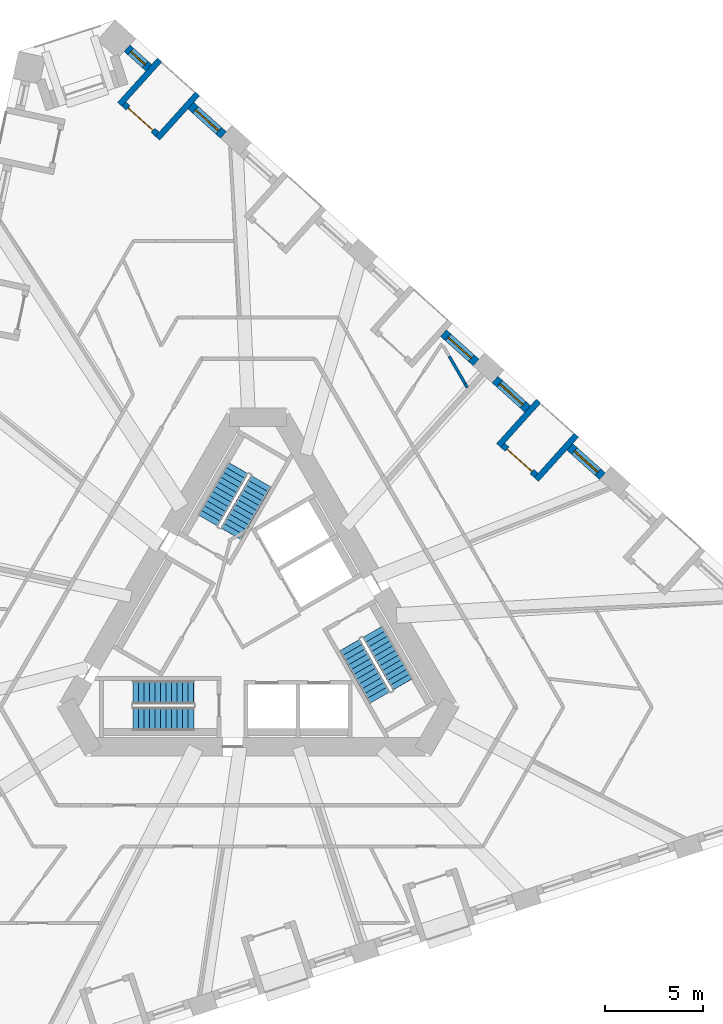
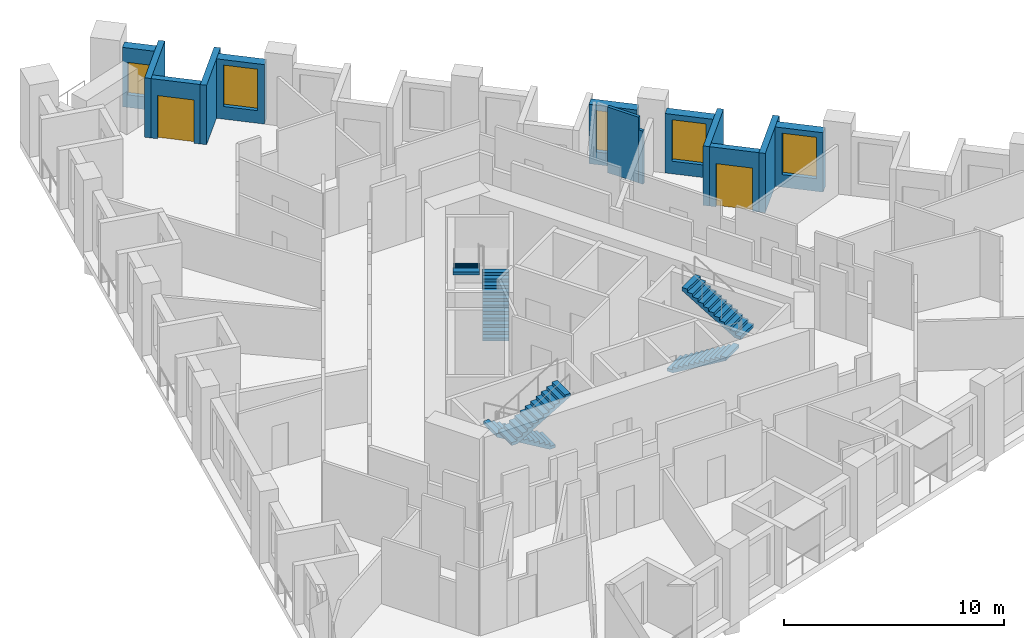
# One storey, part 9 of 12: 13 walls, 6 stair flights, 5 windows, 2 doors, 7 openings, 3 elements without a shape of their own.
"""IFC4 building model written with IfcOpenShell, lengths in metres."""

from ifc_helpers import new_model, si_unit, direction, frame, frame_2d, origin, place, context, subcontext, project, spatial, polyline, rectangle, outline, extrude, material, layer, layer_set, type_object, element, fill, aggregate, save


model = new_model("IFC4")

# Units and contexts
model_context = context("Model", 3, precision=1e-05, world=origin(), true_north=direction((0.0, 1.0)))
body_context = subcontext(model_context, "Body", "Model", "MODEL_VIEW")
ifc_project = project(units=[si_unit("LENGTHUNIT", "METRE"), si_unit("AREAUNIT", "SQUARE_METRE"), si_unit("VOLUMEUNIT", "CUBIC_METRE"), si_unit("PLANEANGLEUNIT", "RADIAN"), si_unit("MASSUNIT", "GRAM", prefix="KILO")], contexts=[model_context])

# Site, building, storey
site_placement = place(None, origin())
site = spatial("IfcSite", under=ifc_project, at=site_placement, CompositionType="ELEMENT")
building_placement = place(site_placement, origin())
building = spatial("IfcBuilding", under=site, at=building_placement, Name="Tramontana Tower", CompositionType="ELEMENT")
storey_placement = place(building_placement, frame((0.0, 0.0, 88.39990234375)))
storey = spatial("IfcBuildingStorey", under=building, at=storey_placement, Name="L19", CompositionType="ELEMENT", Elevation=88.39990234375)

# Wall, opening, window
ifc_material_1 = material(Name="Precast concrete 60 MPa", Category="concrete")
ifc_layer_1 = layer(ifc_material_1, 0.449951171875)
ifc_layer_set_1 = layer_set([ifc_layer_1], Name="Precast concrete 60 MPa, 450 mm")
wall_type_1 = type_object("IfcWallType", Name="EW1 Stone-faced precast wall 450", PredefinedType="SOLIDWALL", material=ifc_layer_set_1)
wall_1_placement = place(storey_placement, frame((17.54541015625, 7.51513671875, 0.0), z_axis=(0.0, 0.0, 1.0), x_axis=(-0.743142151309, 0.669133576311, 0.0)))
wall_1 = element("IfcWall", 1, at=wall_1_placement, inside=storey, type_object=wall_type_1, Name="External wall L19 face 2 bay 3", PredefinedType="SOLIDWALL", context=body_context, shape_type="SweptSolid", body=[
    extrude(rectangle(XDim=2.236572265625, YDim=0.449951171875, at=frame_2d((1.1181640625, 0.0))), origin(), (0.0, 0.0, 1.0), 3.300048828125),
])
opening_1_placement = place(wall_1_placement, frame((0.318359375, 0.0, 0.699951171875)))
opening_1 = element("IfcOpeningElement", 2, at=opening_1_placement, cuts=wall_1, Name="Opening M1", PredefinedType="OPENING", context=body_context, shape_type="SweptSolid", body=[
    extrude(rectangle(XDim=1.60009765625, YDim=2.300048828125, at=frame_2d((0.800048828125, 1.14990234375))), frame((0.0, 0.23486328125, 0.0), z_axis=(0.0, -1.0, 0.0), x_axis=(1.0, 0.0, 0.0)), (0.0, 0.0, 1.0), 0.469970703125),
])
ifc_material_2 = material(Name="Aluminum frame, double glazing unit", Category="aluminium")
window_type_1 = type_object("IfcWindowType", Name="M1 Window 1.6 x 2.3", PartitioningType="SINGLE_PANEL", PredefinedType="WINDOW", material=ifc_material_2)
window_1_placement = place(opening_1_placement, origin())
window_1 = element("IfcWindow", 3, at=window_1_placement, inside=storey, type_object=window_type_1, Name="Window M1 L19 face 2 module 7", OverallHeight=2.300048828125, OverallWidth=1.60009765625, PartitioningType="SINGLE_PANEL", PredefinedType="WINDOW", context=body_context, shape_type="SweptSolid", body=[
    extrude(rectangle(XDim=1.60009765625, YDim=2.300048828125, at=frame_2d((0.800048828125, 1.14990234375))), frame((0.0, 0.030029296875, 0.0), z_axis=(0.0, -1.0, 0.0), x_axis=(1.0, 0.0, 0.0)), (0.0, 0.0, 1.0), 0.06005859375),
])
fill(opening_1, window_1)

wall_2_placement = place(storey_placement, frame((13.738037109375, 10.943359375, 0.0), z_axis=(0.0, 0.0, 1.0), x_axis=(-0.743191019375, 0.669079299276, 0.0)))
wall_2 = element("IfcWall", 4, at=wall_2_placement, inside=storey, type_object=wall_type_1, Name="External wall L19 face 2 bay 3", PredefinedType="SOLIDWALL", context=body_context, shape_type="SweptSolid", body=[
    extrude(rectangle(XDim=2.23681640625, YDim=0.449951171875, at=frame_2d((1.118408203125, 0.0))), origin(), (0.0, 0.0, 1.0), 3.300048828125),
])
opening_2_placement = place(wall_2_placement, frame((0.318359375, 0.0, 0.699951171875)))
opening_2 = element("IfcOpeningElement", 5, at=opening_2_placement, cuts=wall_2, Name="Opening M1", PredefinedType="OPENING", context=body_context, shape_type="SweptSolid", body=[
    extrude(rectangle(XDim=1.60009765625, YDim=2.300048828125, at=frame_2d((0.800048828125, 1.14990234375))), frame((0.0, 0.23486328125, 0.0), z_axis=(0.0, -1.0, 0.0), x_axis=(1.0, 0.0, 0.0)), (0.0, 0.0, 1.0), 0.469970703125),
])
window_2_placement = place(opening_2_placement, origin())
window_2 = element("IfcWindow", 6, at=window_2_placement, inside=storey, type_object=window_type_1, Name="Window M1 L19 face 2 module 9", OverallHeight=2.300048828125, OverallWidth=1.60009765625, PartitioningType="SINGLE_PANEL", PredefinedType="WINDOW", context=body_context, shape_type="SweptSolid", body=[
    extrude(rectangle(XDim=1.60009765625, YDim=2.300048828125, at=frame_2d((0.800048828125, 1.14990234375))), frame((0.0, 0.030029296875, 0.0), z_axis=(0.0, -1.0, 0.0), x_axis=(1.0, 0.0, 0.0)), (0.0, 0.0, 1.0), 0.06005859375),
])
fill(opening_2, window_2)

wall_3_placement = place(storey_placement, frame((11.109619140625, 13.309814453125, 0.0), z_axis=(0.0, 0.0, 1.0), x_axis=(-0.743087873176, 0.669193852885, 0.0)))
wall_3 = element("IfcWall", 7, at=wall_3_placement, inside=storey, type_object=wall_type_1, Name="External wall L19 face 2 bay 4", PredefinedType="SOLIDWALL", context=body_context, shape_type="SweptSolid", body=[
    extrude(rectangle(XDim=2.23681640625, YDim=0.449951171875, at=frame_2d((1.118408203125, 0.0))), origin(), (0.0, 0.0, 1.0), 3.300048828125),
])
opening_3_placement = place(wall_3_placement, frame((0.318359375, 0.0, 0.699951171875)))
opening_3 = element("IfcOpeningElement", 8, at=opening_3_placement, cuts=wall_3, Name="Opening M1", PredefinedType="OPENING", context=body_context, shape_type="SweptSolid", body=[
    extrude(rectangle(XDim=1.60009765625, YDim=2.300048828125, at=frame_2d((0.800048828125, 1.14990234375))), frame((0.0, 0.23486328125, 0.0), z_axis=(0.0, -1.0, 0.0), x_axis=(1.0, 0.0, 0.0)), (0.0, 0.0, 1.0), 0.469970703125),
])
window_3_placement = place(opening_3_placement, origin())
window_3 = element("IfcWindow", 9, at=window_3_placement, inside=storey, type_object=window_type_1, Name="Window M1 L19 face 2 module 10", OverallHeight=2.300048828125, OverallWidth=1.60009765625, PartitioningType="SINGLE_PANEL", PredefinedType="WINDOW", context=body_context, shape_type="SweptSolid", body=[
    extrude(rectangle(XDim=1.60009765625, YDim=2.300048828125, at=frame_2d((0.800048828125, 1.14990234375))), frame((0.0, 0.030029296875, 0.0), z_axis=(0.0, -1.0, 0.0), x_axis=(1.0, 0.0, 0.0)), (0.0, 0.0, 1.0), 0.06005859375),
])
fill(opening_3, window_3)

wall_4_placement = place(storey_placement, frame((-1.761962890625, 24.899658203125, 0.0), z_axis=(0.0, 0.0, 1.0), x_axis=(-0.743191019375, 0.669079299276, 0.0)))
wall_4 = element("IfcWall", 10, at=wall_4_placement, inside=storey, type_object=wall_type_1, Name="External wall L19 face 2 bay 6", PredefinedType="SOLIDWALL", context=body_context, shape_type="SweptSolid", body=[
    extrude(rectangle(XDim=2.23681640625, YDim=0.449951171875, at=frame_2d((1.118408203125, 0.0))), origin(), (0.0, 0.0, 1.0), 3.300048828125),
])
opening_4_placement = place(wall_4_placement, frame((0.318359375, 0.0, 0.699951171875)))
opening_4 = element("IfcOpeningElement", 11, at=opening_4_placement, cuts=wall_4, Name="Opening M1", PredefinedType="OPENING", context=body_context, shape_type="SweptSolid", body=[
    extrude(rectangle(XDim=1.60009765625, YDim=2.300048828125, at=frame_2d((0.800048828125, 1.14990234375))), frame((0.0, 0.23486328125, 0.0), z_axis=(0.0, -1.0, 0.0), x_axis=(1.0, 0.0, 0.0)), (0.0, 0.0, 1.0), 0.469970703125),
])
window_4_placement = place(opening_4_placement, origin())
window_4 = element("IfcWindow", 12, at=window_4_placement, inside=storey, type_object=window_type_1, Name="Window M1 L19 face 2 module 16", OverallHeight=2.300048828125, OverallWidth=1.60009765625, PartitioningType="SINGLE_PANEL", PredefinedType="WINDOW", context=body_context, shape_type="SweptSolid", body=[
    extrude(rectangle(XDim=1.60009765625, YDim=2.300048828125, at=frame_2d((0.800048828125, 1.14990234375))), frame((0.0, 0.030029296875, 0.0), z_axis=(0.0, -1.0, 0.0), x_axis=(1.0, 0.0, 0.0)), (0.0, 0.0, 1.0), 0.06005859375),
])
fill(opening_4, window_4)

wall_5_placement = place(storey_placement, frame((-5.569580078125, 28.327880859375, 0.0), z_axis=(0.0, 0.0, 1.0), x_axis=(-0.743089972274, 0.669191521992, 0.0)))
wall_5 = element("IfcWall", 13, at=wall_5_placement, inside=storey, type_object=wall_type_1, Name="External wall L19 face 2 bay 6", PredefinedType="SOLIDWALL", context=body_context, shape_type="SweptSolid", body=[
    extrude(rectangle(XDim=1.486572265625, YDim=0.449951171875, at=frame_2d((0.7431640625, 0.0))), origin(), (0.0, 0.0, 1.0), 3.300048828125),
])
opening_5_placement = place(wall_5_placement, frame((0.243408203125, 0.0, 0.699951171875)))
opening_5 = element("IfcOpeningElement", 14, at=opening_5_placement, cuts=wall_5, Name="Opening N1L", PredefinedType="OPENING", context=body_context, shape_type="SweptSolid", body=[
    extrude(rectangle(XDim=1.0, YDim=1.800048828125, at=frame_2d((0.5, 0.89990234375))), frame((0.0, 0.23486328125, 0.0), z_axis=(0.0, -1.0, 0.0), x_axis=(1.0, 0.0, 0.0)), (0.0, 0.0, 1.0), 0.469970703125),
])
ifc_material_3 = material(Name="Aluminum frame, double glazing unit", Category="aluminium")
window_type_2 = type_object("IfcWindowType", Name="N1L Window 1 x 1.8", PartitioningType="SINGLE_PANEL", PredefinedType="WINDOW", material=ifc_material_3)
window_5_placement = place(opening_5_placement, origin())
window_5 = element("IfcWindow", 15, at=window_5_placement, inside=storey, type_object=window_type_2, Name="Window N1L L19 face 2 module 18", OverallHeight=1.800048828125, OverallWidth=1.0, PartitioningType="SINGLE_PANEL", PredefinedType="WINDOW", context=body_context, shape_type="SweptSolid", body=[
    extrude(rectangle(XDim=1.0, YDim=1.800048828125, at=frame_2d((0.5, 0.89990234375))), frame((0.0, 0.030029296875, 0.0), z_axis=(0.0, -1.0, 0.0), x_axis=(1.0, 0.0, 0.0)), (0.0, 0.0, 1.0), 0.06005859375),
])
fill(opening_5, window_5)

# Wall, opening, door
ifc_material_4 = material(Name="Precast concrete 60 MPa", Category="concrete")
ifc_layer_2 = layer(ifc_material_4, 0.300048828125)
ifc_layer_set_2 = layer_set([ifc_layer_2], Name="LW1 Stone-faced loggia wall 300")
wall_type_2 = type_object("IfcWallType", Name="LW1 Stone-faced loggia wall 300", PredefinedType="SOLIDWALL", material=ifc_layer_set_2)
wall_6_placement = place(storey_placement, frame((14.17138671875, 7.55908203125, 0.0), z_axis=(0.0, 0.0, 1.0), x_axis=(-0.743134851659, 0.66914168324, 0.0)))
wall_6 = element("IfcWall", 16, at=wall_6_placement, inside=storey, type_object=wall_type_2, Name="Loggia wall L19 G2S2.7", PredefinedType="SOLIDWALL", context=body_context, shape_type="SweptSolid", body=[
    extrude(rectangle(XDim=2.28662109375, YDim=0.300048828125, at=frame_2d((1.143310546875, 0.0))), origin(), (0.0, 0.0, 1.0), 3.300048828125),
])
opening_6_placement = place(wall_6_placement, frame((0.29345703125, 0.0, 0.0)))
opening_6 = element("IfcOpeningElement", 17, at=opening_6_placement, cuts=wall_6, Name="Opening BD-2S2-07", PredefinedType="OPENING", context=body_context, shape_type="SweptSolid", body=[
    extrude(rectangle(XDim=1.699951171875, YDim=2.39990234375, at=frame_2d((0.85009765625, 1.199951171875))), frame((0.0, 0.159912109375, 0.0), z_axis=(0.0, -1.0, 0.0), x_axis=(1.0, 0.0, 0.0)), (0.0, 0.0, 1.0), 0.320068359375),
])
ifc_material_5 = material(Name="Aluminum frame, double glazing unit", Category="aluminium")
door_type = type_object("IfcDoorType", Name="BD1 Sliding door 1.7 x 2.4", OperationType="SLIDING_TO_LEFT", PredefinedType="DOOR", material=ifc_material_5)
door_1_placement = place(opening_6_placement, origin())
door_1 = element("IfcDoor", 18, at=door_1_placement, inside=storey, type_object=door_type, Name="Loggia door L19 G2S2.7", OperationType="SLIDING_TO_LEFT", OverallHeight=2.39990234375, OverallWidth=1.699951171875, PredefinedType="DOOR", context=body_context, shape_type="SweptSolid", body=[
    extrude(rectangle(XDim=1.699951171875, YDim=2.39990234375, at=frame_2d((0.85009765625, 1.199951171875))), frame((0.0, 0.02490234375, 0.0), z_axis=(0.0, -1.0, 0.0), x_axis=(1.0, 0.0, 0.0)), (0.0, 0.0, 1.0), 0.050048828125),
])
fill(opening_6, door_1)

# Walls
for number, where, z_axis, x_axis, name in (
    (19, (16.223388671875, 9.61376953125, 0.0), (0.0, 0.0, 1.0), (-0.669115082961, -0.743158802514, 0.0), "Loggia return L19 G2S2.7a"),
    (20, (14.301025390625, 11.3447265625, 0.0), (0.0, 0.0, 1.0), (-0.669115082961, -0.743158802514, 0.0), "Loggia return L19 G2S2.7b"),
):
    element("IfcWall", number, at=place(storey_placement, frame(where, z_axis=z_axis, x_axis=x_axis)), inside=storey, type_object=wall_type_2, Name=name, PredefinedType="SOLIDWALL", context=body_context, shape_type="SweptSolid", body=[
        extrude(rectangle(XDim=3.050048828125, YDim=0.300048828125, at=frame_2d((1.52490234375, 0.0))), origin(), (0.0, 0.0, 1.0), 3.300048828125),
    ])

# Wall, opening, door
wall_7_placement = place(storey_placement, frame((-5.135986328125, 24.943603515625, 0.0), z_axis=(0.0, 0.0, 1.0), x_axis=(-0.743182653308, 0.669088591909, 0.0)))
wall_7 = element("IfcWall", 21, at=wall_7_placement, inside=storey, type_object=wall_type_2, Name="Loggia wall L19 G2S2.16", PredefinedType="SOLIDWALL", context=body_context, shape_type="SweptSolid", body=[
    extrude(rectangle(XDim=2.28662109375, YDim=0.300048828125, at=frame_2d((1.143310546875, 0.0))), origin(), (0.0, 0.0, 1.0), 3.300048828125),
])
opening_7_placement = place(wall_7_placement, frame((0.29345703125, 0.0, 0.0)))
opening_7 = element("IfcOpeningElement", 22, at=opening_7_placement, cuts=wall_7, Name="Opening BD-2S2-16", PredefinedType="OPENING", context=body_context, shape_type="SweptSolid", body=[
    extrude(rectangle(XDim=1.699951171875, YDim=2.39990234375, at=frame_2d((0.85009765625, 1.199951171875))), frame((0.0, 0.159912109375, 0.0), z_axis=(0.0, -1.0, 0.0), x_axis=(1.0, 0.0, 0.0)), (0.0, 0.0, 1.0), 0.320068359375),
])
door_2_placement = place(opening_7_placement, origin())
door_2 = element("IfcDoor", 23, at=door_2_placement, inside=storey, type_object=door_type, Name="Loggia door L19 G2S2.16", OperationType="SLIDING_TO_LEFT", OverallHeight=2.39990234375, OverallWidth=1.699951171875, PredefinedType="DOOR", context=body_context, shape_type="SweptSolid", body=[
    extrude(rectangle(XDim=1.699951171875, YDim=2.39990234375, at=frame_2d((0.85009765625, 1.199951171875))), frame((0.0, 0.02490234375, 0.0), z_axis=(0.0, -1.0, 0.0), x_axis=(1.0, 0.0, 0.0)), (0.0, 0.0, 1.0), 0.050048828125),
])
fill(opening_7, door_2)

# Walls
for number, where, z_axis, x_axis, name in (
    (24, (-3.083984375, 26.998291015625, 0.0), (0.0, 0.0, 1.0), (-0.669159288314, -0.743118999127, 0.0), "Loggia return L19 G2S2.16a"),
    (25, (-5.00634765625, 28.729248046875, 0.0), (0.0, 0.0, 1.0), (-0.669115082961, -0.743158802514, 0.0), "Loggia return L19 G2S2.16b"),
):
    element("IfcWall", number, at=place(storey_placement, frame(where, z_axis=z_axis, x_axis=x_axis)), inside=storey, type_object=wall_type_2, Name=name, PredefinedType="SOLIDWALL", context=body_context, shape_type="SweptSolid", body=[
        extrude(rectangle(XDim=3.050048828125, YDim=0.300048828125, at=frame_2d((1.52490234375, 0.0))), origin(), (0.0, 0.0, 1.0), 3.300048828125),
    ])
ifc_material_6 = material(Name="Gypsum board partition")
ifc_layer_3 = layer(ifc_material_6, 0.14990234375)
ifc_layer_set_3 = layer_set([ifc_layer_3], Name="PARTITION 150")
wall_type_3 = type_object("IfcWallType", Name="PARTITION 150", PredefinedType="PARTITIONING", material=ifc_layer_set_3)
wall_8_placement = place(storey_placement, frame((9.73681640625, 13.635498046875, 0.0), z_axis=(0.0, 0.0, 1.0), x_axis=(0.499955758317, -0.866050945225, 0.0)))
element("IfcWall", 26, at=wall_8_placement, inside=storey, type_object=wall_type_3, Name="Wall v20-pw29-0", PredefinedType="PARTITIONING", context=body_context, shape_type="SweptSolid", body=[
    extrude(rectangle(XDim=1.630615234375, YDim=0.14990234375, at=frame_2d((0.8154296875, 0.0))), origin(), (0.0, 0.0, 1.0), 3.650146484375),
])
wall_9_placement = place(storey_placement, frame((10.552001953125, 12.223388671875, 0.0), z_axis=(0.0, 0.0, 1.0), x_axis=(0.499785569122, -0.866149170119, 0.0)))
element("IfcWall", 27, at=wall_9_placement, inside=storey, type_object=wall_type_3, Name="Wall v20-pw29-1", PredefinedType="PARTITIONING", context=body_context, shape_type="SweptSolid", body=[
    extrude(rectangle(XDim=0.22314453125, YDim=0.14990234375, at=frame_2d((0.111572265625, 0.0))), origin(), (0.0, 0.0, 1.0), 2.9501953125),
])

# Stair, stair flights
ifc_material_7 = material(Name="Concrete 40 MPa", Category="concrete")
stair_type = type_object("IfcStairType", Name="EXIT STAIR 24 RISERS", PredefinedType="HALF_TURN_STAIR", material=ifc_material_7)
stair_1_placement = place(storey_placement, origin())
stair_1 = element("IfcStair", 28, at=stair_1_placement, inside=storey, type_object=stair_type, Name="L19 Exit stair ST1", PredefinedType="HALF_TURN_STAIR")
ifc_material_8 = material(Name="Concrete 40 MPa", Category="concrete")
ifc_layer_4 = layer(ifc_material_8, 0.14990234375)
ifc_layer_set_4 = layer_set([ifc_layer_4], Name="EXIT STAIR FLIGHT")
stair_flight_type = type_object("IfcStairFlightType", Name="EXIT STAIR FLIGHT", PredefinedType="STRAIGHT", material=ifc_layer_set_4)
stair_flight_1_placement = place(storey_placement, frame((-1.39111328125, 4.590576171875, 0.0), z_axis=(0.0, 0.0, 1.0), x_axis=(0.5, 0.866025403784, 0.0)))
stair_flight_1 = element("IfcStairFlight", 29, at=stair_flight_1_placement, type_object=stair_flight_type, Name="ST1 flight 1", NumberOfRisers=12, NumberOfTreads=11, PredefinedType="STRAIGHT", RiserHeight=0.166666667, TreadLength=0.28, context=body_context, shape_type="SweptSolid", body=[
    extrude(outline(polyline([(-0.006103515625, 0.0), (-0.006103515625, 0.0400390625), (0.0, 0.0400390625), (0.0, 0.166748046875), (0.280029296875, 0.166748046875), (0.280029296875, 0.333251953125), (0.56005859375, 0.333251953125), (0.56005859375, 0.5), (0.840087890625, 0.5), (0.840087890625, 0.666748046875), (1.1201171875, 0.666748046875), (1.1201171875, 0.833251953125), (1.39990234375, 0.833251953125), (1.39990234375, 1.0), (1.679931640625, 1.0), (1.679931640625, 1.166748046875), (1.9599609375, 1.166748046875), (1.9599609375, 1.333251953125), (2.239990234375, 1.333251953125), (2.239990234375, 1.5), (2.52001953125, 1.5), (2.52001953125, 1.666748046875), (2.800048828125, 1.666748046875), (2.800048828125, 1.833251953125), (3.080078125, 1.833251953125), (3.0859375, 1.833251953125), (3.0859375, 1.658935546875), (0.299072265625, 0.0), (-0.006103515625, 0.0)])), frame((0.0, 0.60009765625, 0.0), z_axis=(0.0, -1.0, 0.0), x_axis=(1.0, 0.0, 0.0)), (0.0, 0.0, 1.0), 1.199951171875),
])
stair_flight_2_placement = place(storey_placement, frame((-1.020263671875, 7.932861328125, 2.0), z_axis=(0.0, 0.0, 1.0), x_axis=(-0.5, -0.866025403784, 0.0)))
stair_flight_2 = element("IfcStairFlight", 30, at=stair_flight_2_placement, type_object=stair_flight_type, Name="ST1 flight 2", NumberOfRisers=12, NumberOfTreads=11, PredefinedType="STRAIGHT", RiserHeight=0.166666667, TreadLength=0.28, context=body_context, shape_type="SweptSolid", body=[
    extrude(outline(polyline([(-0.006103515625, 0.0), (-0.006103515625, 0.0400390625), (0.0, 0.0400390625), (0.0, 0.166748046875), (0.280029296875, 0.166748046875), (0.280029296875, 0.333251953125), (0.56005859375, 0.333251953125), (0.56005859375, 0.5), (0.840087890625, 0.5), (0.840087890625, 0.666748046875), (1.1201171875, 0.666748046875), (1.1201171875, 0.833251953125), (1.39990234375, 0.833251953125), (1.39990234375, 1.0), (1.679931640625, 1.0), (1.679931640625, 1.166748046875), (1.9599609375, 1.166748046875), (1.9599609375, 1.333251953125), (2.239990234375, 1.333251953125), (2.239990234375, 1.5), (2.52001953125, 1.5), (2.52001953125, 1.666748046875), (2.800048828125, 1.666748046875), (2.800048828125, 1.833251953125), (3.080078125, 1.833251953125), (3.0859375, 1.833251953125), (3.0859375, 1.658935546875), (0.299072265625, 0.0), (-0.006103515625, 0.0)])), frame((0.0, 0.60009765625, 0.0), z_axis=(0.0, -1.0, 0.0), x_axis=(1.0, 0.0, 0.0)), (0.0, 0.0, 1.0), 1.199951171875),
])
aggregate(stair_1, [stair_flight_1, stair_flight_2])

stair_2_placement = place(storey_placement, origin())
stair_2 = element("IfcStair", 31, at=stair_2_placement, inside=storey, type_object=stair_type, Name="L19 Exit stair ST2", PredefinedType="HALF_TURN_STAIR")
stair_flight_3_placement = place(storey_placement, frame((-3.280029296875, -3.5, 0.0), z_axis=(0.0, 0.0, 1.0), x_axis=(-1.0, 0.0, 0.0)))
stair_flight_3 = element("IfcStairFlight", 32, at=stair_flight_3_placement, type_object=stair_flight_type, Name="ST2 flight 1", NumberOfRisers=12, NumberOfTreads=11, PredefinedType="STRAIGHT", RiserHeight=0.166666667, TreadLength=0.28, context=body_context, shape_type="SweptSolid", body=[
    extrude(outline(polyline([(-0.006103515625, 0.0), (-0.006103515625, 0.0400390625), (0.0, 0.0400390625), (0.0, 0.166748046875), (0.280029296875, 0.166748046875), (0.280029296875, 0.333251953125), (0.56005859375, 0.333251953125), (0.56005859375, 0.5), (0.840087890625, 0.5), (0.840087890625, 0.666748046875), (1.1201171875, 0.666748046875), (1.1201171875, 0.833251953125), (1.39990234375, 0.833251953125), (1.39990234375, 1.0), (1.679931640625, 1.0), (1.679931640625, 1.166748046875), (1.9599609375, 1.166748046875), (1.9599609375, 1.333251953125), (2.239990234375, 1.333251953125), (2.239990234375, 1.5), (2.52001953125, 1.5), (2.52001953125, 1.666748046875), (2.800048828125, 1.666748046875), (2.800048828125, 1.833251953125), (3.080078125, 1.833251953125), (3.0859375, 1.833251953125), (3.0859375, 1.658935546875), (0.299072265625, 0.0), (-0.006103515625, 0.0)])), frame((0.0, 0.60009765625, 0.0), z_axis=(0.0, -1.0, 0.0), x_axis=(1.0, 0.0, 0.0)), (0.0, 0.0, 1.0), 1.199951171875),
])
stair_flight_4_placement = place(storey_placement, frame((-6.360107421875, -4.85009765625, 2.0), z_axis=(0.0, 0.0, 1.0), x_axis=(1.0, 0.0, 0.0)))
stair_flight_4 = element("IfcStairFlight", 33, at=stair_flight_4_placement, type_object=stair_flight_type, Name="ST2 flight 2", NumberOfRisers=12, NumberOfTreads=11, PredefinedType="STRAIGHT", RiserHeight=0.166666667, TreadLength=0.28, context=body_context, shape_type="SweptSolid", body=[
    extrude(outline(polyline([(-0.006103515625, 0.0), (-0.006103515625, 0.0400390625), (0.0, 0.0400390625), (0.0, 0.166748046875), (0.280029296875, 0.166748046875), (0.280029296875, 0.333251953125), (0.56005859375, 0.333251953125), (0.56005859375, 0.5), (0.840087890625, 0.5), (0.840087890625, 0.666748046875), (1.1201171875, 0.666748046875), (1.1201171875, 0.833251953125), (1.39990234375, 0.833251953125), (1.39990234375, 1.0), (1.679931640625, 1.0), (1.679931640625, 1.166748046875), (1.9599609375, 1.166748046875), (1.9599609375, 1.333251953125), (2.239990234375, 1.333251953125), (2.239990234375, 1.5), (2.52001953125, 1.5), (2.52001953125, 1.666748046875), (2.800048828125, 1.666748046875), (2.800048828125, 1.833251953125), (3.080078125, 1.833251953125), (3.0859375, 1.833251953125), (3.0859375, 1.658935546875), (0.299072265625, 0.0), (-0.006103515625, 0.0)])), frame((0.0, 0.60009765625, 0.0), z_axis=(0.0, -1.0, 0.0), x_axis=(1.0, 0.0, 0.0)), (0.0, 0.0, 1.0), 1.199951171875),
])
aggregate(stair_2, [stair_flight_3, stair_flight_4])

stair_3_placement = place(storey_placement, origin())
stair_3 = element("IfcStair", 34, at=stair_3_placement, inside=storey, type_object=stair_type, Name="L19 Exit stair ST3", PredefinedType="HALF_TURN_STAIR")
stair_flight_5_placement = place(storey_placement, frame((4.671142578125, -1.090576171875, 0.0), z_axis=(0.0, 0.0, 1.0), x_axis=(0.5, -0.866025403784, 0.0)))
stair_flight_5 = element("IfcStairFlight", 35, at=stair_flight_5_placement, type_object=stair_flight_type, Name="ST3 flight 1", NumberOfRisers=12, NumberOfTreads=11, PredefinedType="STRAIGHT", RiserHeight=0.166666667, TreadLength=0.28, context=body_context, shape_type="SweptSolid", body=[
    extrude(outline(polyline([(-0.006103515625, 0.0), (-0.006103515625, 0.0400390625), (0.0, 0.0400390625), (0.0, 0.166748046875), (0.280029296875, 0.166748046875), (0.280029296875, 0.333251953125), (0.56005859375, 0.333251953125), (0.56005859375, 0.5), (0.840087890625, 0.5), (0.840087890625, 0.666748046875), (1.1201171875, 0.666748046875), (1.1201171875, 0.833251953125), (1.39990234375, 0.833251953125), (1.39990234375, 1.0), (1.679931640625, 1.0), (1.679931640625, 1.166748046875), (1.9599609375, 1.166748046875), (1.9599609375, 1.333251953125), (2.239990234375, 1.333251953125), (2.239990234375, 1.5), (2.52001953125, 1.5), (2.52001953125, 1.666748046875), (2.800048828125, 1.666748046875), (2.800048828125, 1.833251953125), (3.080078125, 1.833251953125), (3.0859375, 1.833251953125), (3.0859375, 1.658935546875), (0.299072265625, 0.0), (-0.006103515625, 0.0)])), frame((0.0, 0.60009765625, 0.0), z_axis=(0.0, -1.0, 0.0), x_axis=(1.0, 0.0, 0.0)), (0.0, 0.0, 1.0), 1.199951171875),
])
stair_flight_6_placement = place(storey_placement, frame((7.380126953125, -3.0830078125, 2.0), z_axis=(0.0, 0.0, 1.0), x_axis=(-0.5, 0.866025403784, 0.0)))
stair_flight_6 = element("IfcStairFlight", 36, at=stair_flight_6_placement, type_object=stair_flight_type, Name="ST3 flight 2", NumberOfRisers=12, NumberOfTreads=11, PredefinedType="STRAIGHT", RiserHeight=0.166666667, TreadLength=0.28, context=body_context, shape_type="SweptSolid", body=[
    extrude(outline(polyline([(-0.006103515625, 0.0), (-0.006103515625, 0.0400390625), (0.0, 0.0400390625), (0.0, 0.166748046875), (0.280029296875, 0.166748046875), (0.280029296875, 0.333251953125), (0.56005859375, 0.333251953125), (0.56005859375, 0.5), (0.840087890625, 0.5), (0.840087890625, 0.666748046875), (1.1201171875, 0.666748046875), (1.1201171875, 0.833251953125), (1.39990234375, 0.833251953125), (1.39990234375, 1.0), (1.679931640625, 1.0), (1.679931640625, 1.166748046875), (1.9599609375, 1.166748046875), (1.9599609375, 1.333251953125), (2.239990234375, 1.333251953125), (2.239990234375, 1.5), (2.52001953125, 1.5), (2.52001953125, 1.666748046875), (2.800048828125, 1.666748046875), (2.800048828125, 1.833251953125), (3.080078125, 1.833251953125), (3.0859375, 1.833251953125), (3.0859375, 1.658935546875), (0.299072265625, 0.0), (-0.006103515625, 0.0)])), frame((0.0, 0.60009765625, 0.0), z_axis=(0.0, -1.0, 0.0), x_axis=(1.0, 0.0, 0.0)), (0.0, 0.0, 1.0), 1.199951171875),
])
aggregate(stair_3, [stair_flight_5, stair_flight_6])

save(model, "model.ifc")
